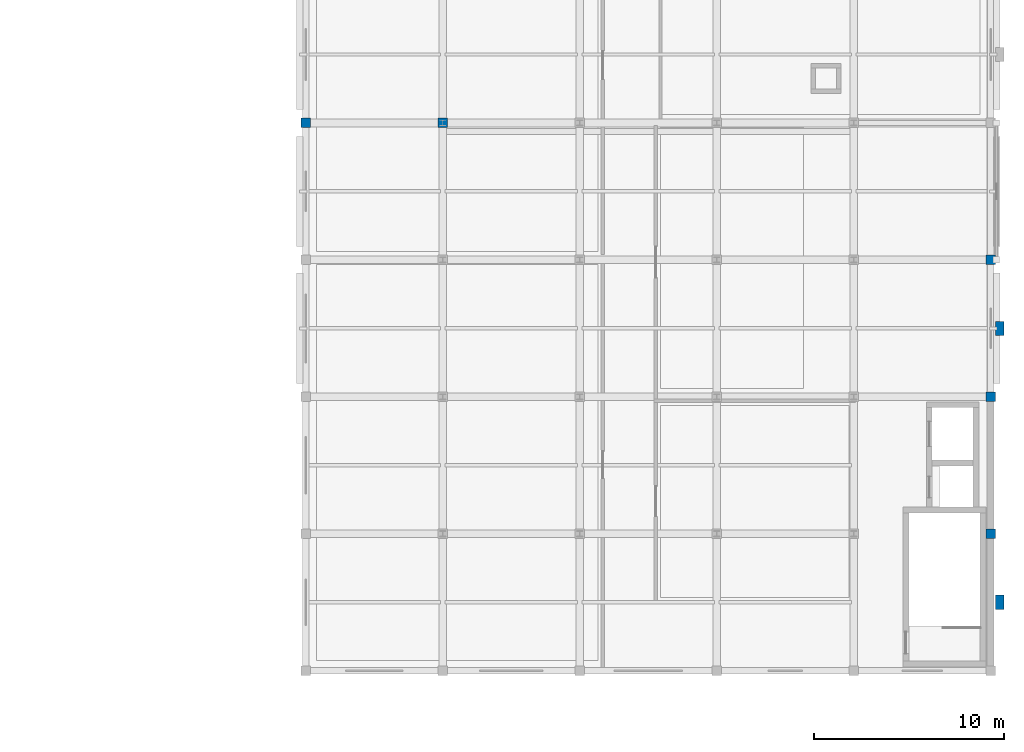
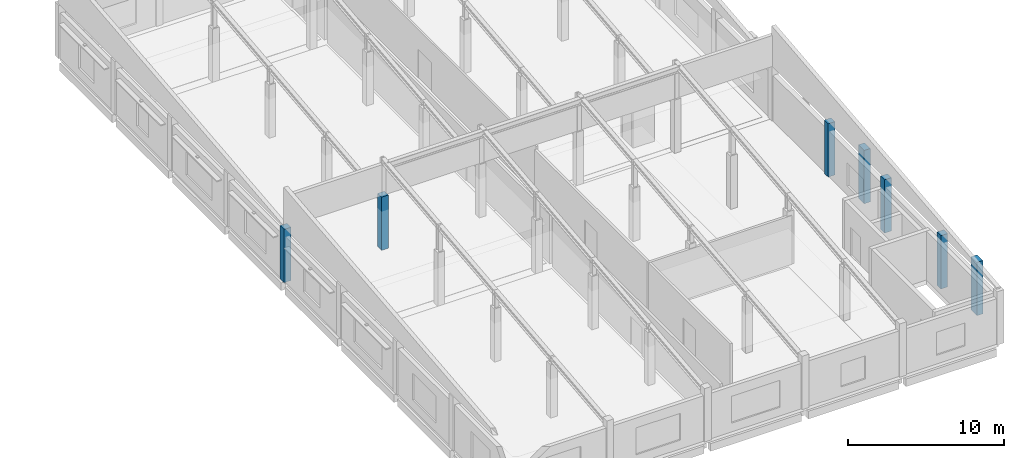
# One storey, part 3 of 33: 7 columns.
"""IFC4 building model written with IfcOpenShell, lengths in metres."""

from ifc_helpers import new_model, si_unit, direction, frame, origin, origin_2d, place, context, subcontext, project, spatial, rectangle, extrude, material, material_profile, profile_set, type_object, element, save


model = new_model("IFC4")

# Units and contexts
model_context = context("Model", 3, precision=1e-05, world=origin(), true_north=direction((0.0, 1.0)))
body_context = subcontext(model_context, "Body", "Model", "MODEL_VIEW")
ifc_project = project(units=[si_unit("LENGTHUNIT", "METRE"), si_unit("AREAUNIT", "SQUARE_METRE"), si_unit("VOLUMEUNIT", "CUBIC_METRE"), si_unit("PLANEANGLEUNIT", "RADIAN"), si_unit("MASSUNIT", "GRAM", prefix="KILO")], contexts=[model_context])

# Site, building, storey
site_placement = place(None, origin())
site = spatial("IfcSite", under=ifc_project, at=site_placement, CompositionType="ELEMENT")
building_placement = place(site_placement, origin())
building = spatial("IfcBuilding", under=site, at=building_placement, Name="Valkovuoma Quantum and Materials Research Institute", CompositionType="ELEMENT")
storey_placement = place(building_placement, frame((0.0, 0.0, 25.60009765625)))
storey = spatial("IfcBuildingStorey", under=building, at=storey_placement, Name="L06", CompositionType="ELEMENT", Elevation=25.60009765625)

# Columns
ifc_material_1 = material(Name="Concrete C40/50", Category="concrete")
ifc_material_profile_1 = material_profile(ifc_material_1, rectangle(XDim=0.449951171875, YDim=0.75, at=origin_2d()), Name="Concrete C40/50")
ifc_profile_set_1 = profile_set([ifc_material_profile_1], Name="Concrete C40/50")
column_type_1 = type_object("IfcColumnType", Name="Col-C-PIL750", PredefinedType="PILASTER", material=ifc_profile_set_1)
for number, where, z_axis, x_axis, name in (
    (1, (166.080078125, 61.199951171875, 0.0), (0.0, 0.0, 1.0), (1.0, 0.0, 0.0), "L06 service spine pilaster 02"),
    (2, (166.080078125, 75.60009765625, 0.0), (0.0, 0.0, 1.0), (1.0, 0.0, 0.0), "L06 service spine pilaster 03"),
):
    element("IfcColumn", number, at=place(storey_placement, frame(where, z_axis=z_axis, x_axis=x_axis)), inside=storey, type_object=column_type_1, Name=name, PredefinedType="PILASTER", context=body_context, shape_type="SweptSolid", body=[
        extrude(rectangle(XDim=0.449951171875, YDim=0.75, at=origin_2d()), origin(), (0.0, 0.0, 1.0), 4.159912109375),
    ])
ifc_material_2 = material(Name="Concrete C40/50", Category="concrete")
ifc_material_profile_2 = material_profile(ifc_material_2, rectangle(XDim=0.5, YDim=0.5, at=origin_2d()), Name="Concrete C40/50")
ifc_profile_set_2 = profile_set([ifc_material_profile_2], Name="Concrete C40/50")
column_type_2 = type_object("IfcColumnType", Name="Col-C-RC500", PredefinedType="COLUMN", material=ifc_profile_set_2)
for number, where, z_axis, x_axis, name in (
    (3, (129.60009765625, 86.39990234375, 0.0), (0.0, 0.0, 1.0), (1.0, 0.0, 0.0), "L06 column 19N"),
    (4, (136.800048828125, 86.39990234375, 0.0), (0.0, 0.0, 1.0), (1.0, 0.0, 0.0), "L06 column 20N"),
    (5, (165.60009765625, 64.800048828125, 0.0), (0.0, 0.0, 1.0), (1.0, 0.0, 0.0), "L06 column 24K"),
    (6, (165.60009765625, 72.0, 0.0), (0.0, 0.0, 1.0), (1.0, 0.0, 0.0), "L06 column 24L"),
    (7, (165.60009765625, 79.199951171875, 0.0), (0.0, 0.0, 1.0), (1.0, 0.0, 0.0), "L06 column 24M"),
):
    element("IfcColumn", number, at=place(storey_placement, frame(where, z_axis=z_axis, x_axis=x_axis)), inside=storey, type_object=column_type_2, Name=name, PredefinedType="COLUMN", context=body_context, shape_type="SweptSolid", body=[
        extrude(rectangle(XDim=0.5, YDim=0.5, at=origin_2d()), origin(), (0.0, 0.0, 1.0), 4.159912109375),
    ])

save(model, "model.ifc")
